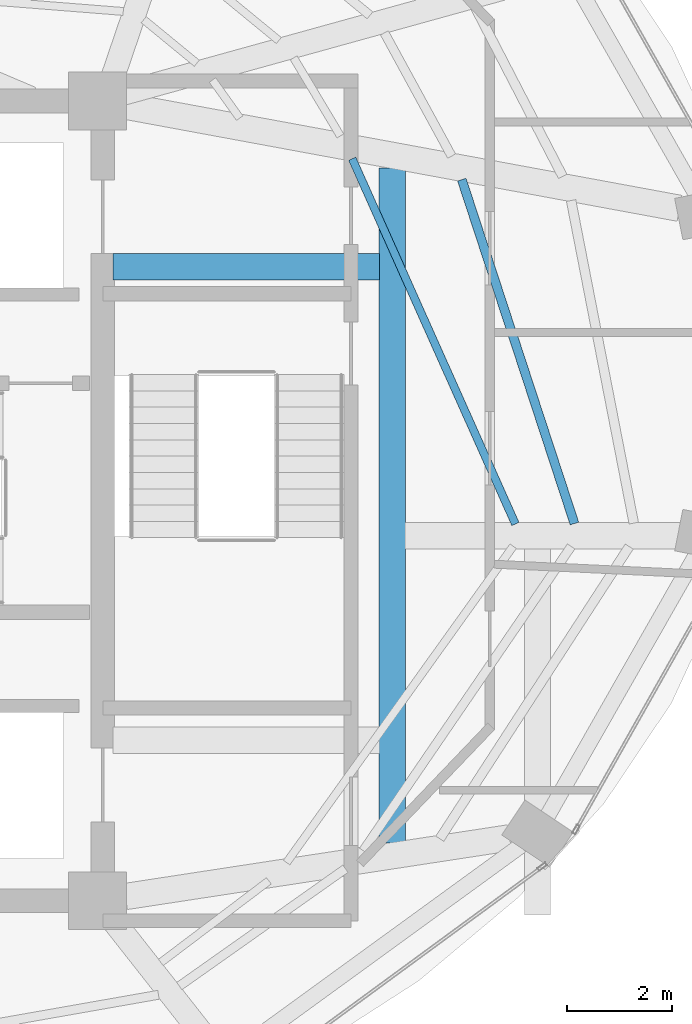
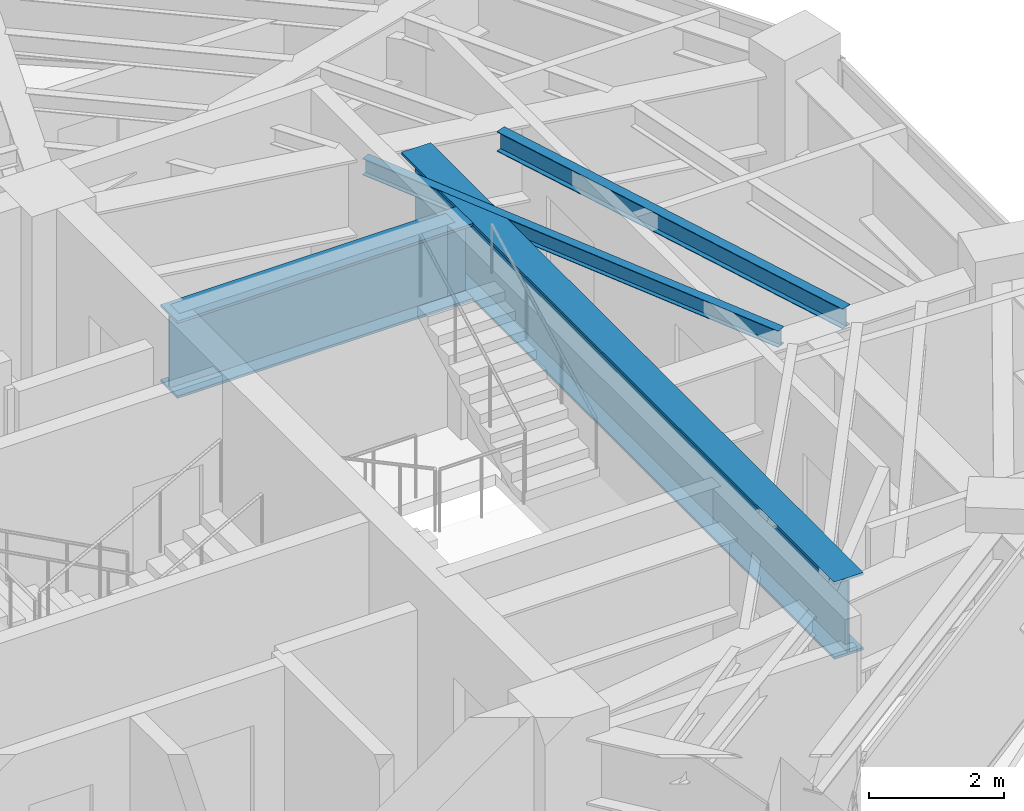
# One storey, part 14 of 23: 4 beams.
"""IFC4 building model written with IfcOpenShell, lengths in metres."""

from ifc_helpers import new_model, si_unit, direction, frame, origin, origin_2d, place, context, subcontext, project, spatial, i_section, extrude, material, material_profile, profile_set, type_object, element, save


model = new_model("IFC4")

# Units and contexts
model_context = context("Model", 3, precision=1e-05, world=origin(), true_north=direction((0.0, 1.0)))
body_context = subcontext(model_context, "Body", "Model", "MODEL_VIEW")
ifc_project = project(units=[si_unit("LENGTHUNIT", "METRE"), si_unit("AREAUNIT", "SQUARE_METRE"), si_unit("VOLUMEUNIT", "CUBIC_METRE"), si_unit("PLANEANGLEUNIT", "RADIAN"), si_unit("MASSUNIT", "GRAM", prefix="KILO")], contexts=[model_context])

# Site, building, storey
site_placement = place(None, origin())
site = spatial("IfcSite", under=ifc_project, at=site_placement, CompositionType="ELEMENT")
building_placement = place(site_placement, origin())
building = spatial("IfcBuilding", under=site, at=building_placement, Name="Lazwardi Medical Tower", CompositionType="ELEMENT")
storey_placement = place(building_placement, frame((0.0, 0.0, 265.968017578125)))
storey = spatial("IfcBuildingStorey", under=building, at=storey_placement, Name="L69", CompositionType="ELEMENT", Elevation=265.968017578125)

# Beams
ifc_material_1 = material(Name="Steel S355", Category="steel")
ifc_material_profile_1 = material_profile(ifc_material_1, i_section(OverallWidth=0.169921875, OverallDepth=0.360107421875, WebThickness=0.008056640625, FlangeThickness=0.0126953125, at=origin_2d()), Name="IPE 360")
ifc_profile_set_1 = profile_set([ifc_material_profile_1], Name="Steel S355")
beam_type_1 = type_object("IfcBeamType", Name="BM-SJ-02", PredefinedType="JOIST", material=ifc_profile_set_1)
beam_1_placement = place(storey_placement, frame((54.66259765625, 27.56982421875, 3.01806640625), z_axis=(-0.311281040266, 0.950317901531, 0.0), x_axis=(-0.950317901531, -0.311281040266, 0.0)))
element("IfcBeam", 1, at=beam_1_placement, inside=storey, type_object=beam_type_1, Name="Secondary joist SJ-02 R2 B04 L69", PredefinedType="JOIST", context=body_context, shape_type="SweptSolid", body=[
    extrude(i_section(OverallWidth=0.169921875, OverallDepth=0.360107421875, WebThickness=0.008056640625, FlangeThickness=0.0126953125, at=origin_2d()), origin(), (0.0, 0.0, 1.0), 6.8759765625),
])
ifc_material_profile_2 = material_profile(ifc_material_1, i_section(OverallWidth=0.14990234375, OverallDepth=0.300048828125, WebThickness=0.007080078125, FlangeThickness=0.0107421875, at=origin_2d()), Name="IPE 300")
ifc_profile_set_2 = profile_set([ifc_material_profile_2], Name="Steel S355")
beam_type_2 = type_object("IfcBeamType", Name="BM-SJ-03", PredefinedType="JOIST", material=ifc_profile_set_2)
beam_2_placement = place(storey_placement, frame((53.541015625, 27.560791015625, 3.048095703125), z_axis=(-0.407975941874, 0.912992678422, 0.0), x_axis=(-0.912992678422, -0.407975941874, 0.0)))
element("IfcBeam", 2, at=beam_2_placement, inside=storey, type_object=beam_type_2, Name="Secondary joist SJ-03 R3 B04 L69", PredefinedType="JOIST", context=body_context, shape_type="SweptSolid", body=[
    extrude(i_section(OverallWidth=0.14990234375, OverallDepth=0.300048828125, WebThickness=0.007080078125, FlangeThickness=0.0107421875, at=origin_2d()), origin(), (0.0, 0.0, 1.0), 7.60302734375),
])
ifc_material_2 = material(Name="Steel S460", Category="steel")
ifc_material_profile_3 = material_profile(ifc_material_2, i_section(OverallWidth=0.5, OverallDepth=1.39990234375, WebThickness=0.028076171875, FlangeThickness=0.044921875, at=origin_2d()), Name="PG 1400x500")
ifc_profile_set_3 = profile_set([ifc_material_profile_3], Name="Steel S460")
beam_type_3 = type_object("IfcBeamType", Name="BM-TG-01", PredefinedType="BEAM", material=ifc_profile_set_3)
beam_3_placement = place(storey_placement, frame((51.199951171875, 21.500732421875, 2.498046875), z_axis=(0.0, 1.0, 0.0), x_axis=(-1.0, 0.0, 0.0)))
element("IfcBeam", 3, at=beam_3_placement, inside=storey, type_object=beam_type_3, Name="Transfer girder TG-01 ST3E L69", PredefinedType="BEAM", context=body_context, shape_type="SweptSolid", body=[
    extrude(i_section(OverallWidth=0.5, OverallDepth=1.39990234375, WebThickness=0.028076171875, FlangeThickness=0.044921875, at=origin_2d()), origin(), (0.0, 0.0, 1.0), 12.8212890625),
])
beam_4_placement = place(storey_placement, frame((45.89501953125, 32.449951171875, 2.498046875), z_axis=(1.0, 0.0, 0.0), x_axis=(0.0, 1.0, 0.0)))
element("IfcBeam", 4, at=beam_4_placement, inside=storey, type_object=beam_type_3, Name="Transfer girder TG-01 ST3N L69", PredefinedType="BEAM", context=body_context, shape_type="SweptSolid", body=[
    extrude(i_section(OverallWidth=0.5, OverallDepth=1.39990234375, WebThickness=0.028076171875, FlangeThickness=0.044921875, at=origin_2d()), origin(), (0.0, 0.0, 1.0), 5.06005859375),
])

save(model, "model.ifc")
